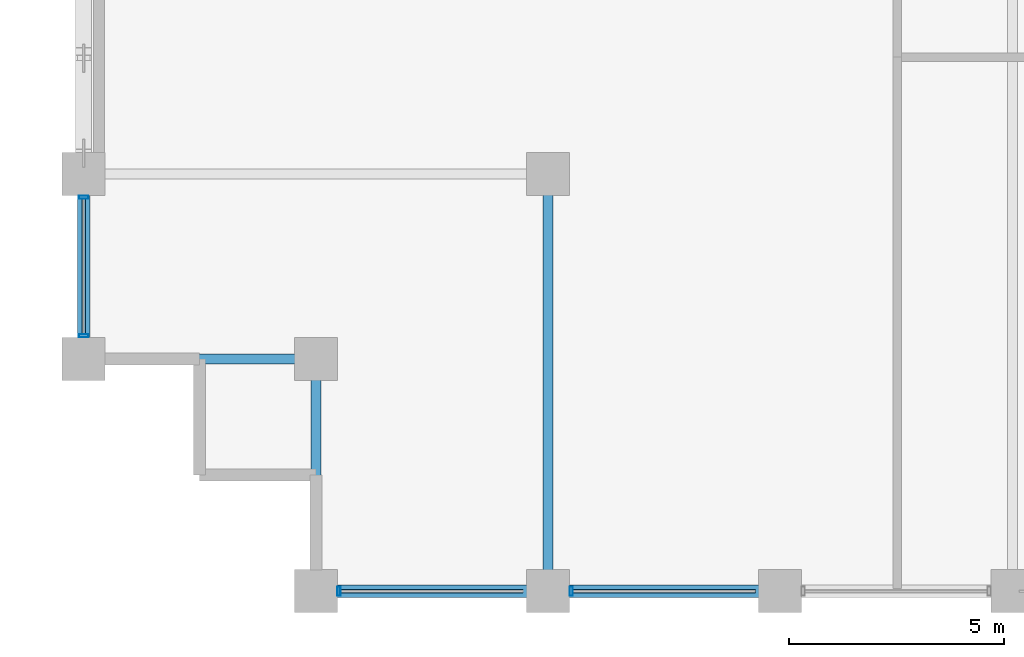
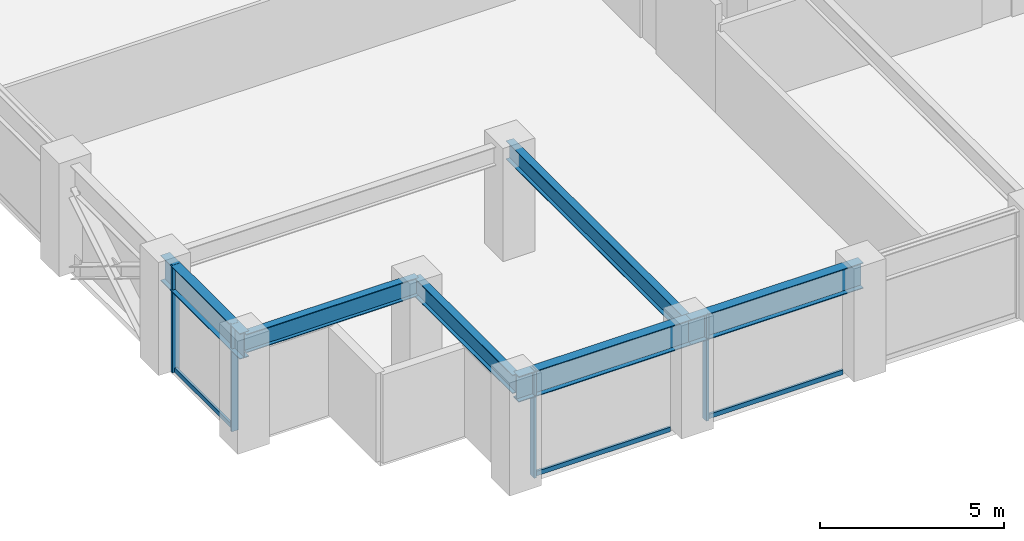
# One storey, part 2 of 26: 7 members, 6 beams, 2 elements without a shape of their own.
"""IFC4 building model written with IfcOpenShell, lengths in metres."""

import ifcopenshell
import ifcopenshell.guid

model = None  # the IFC model being written
_history = None  # IfcOwnerHistory: only IFC2X3 demands one
_inside = {}  # id of a spatial element -> (the spatial element, [elements in it])
_under = {}  # id of a project, library or spatial element -> (it, [spatial elements below it])
_declared = {}  # id of a project -> (the project, [libraries it declares])
_typed = {}  # id of a type object -> (the type object, [elements of that type])
_made_of = {}  # id of a material, layer set ... -> (it, [elements and type objects made of it])


def new_model(schema):
    """Start an empty IFC model of exactly this schema.

    Asked for "IFC4X3", IfcOpenShell would pick the latest addendum, in which some entities
    have other attributes; the version numbers below select the first issue.
    IFC2X3 requires an IfcOwnerHistory on every rooted entity: one is made here for all.
    """
    global model, _history
    if schema == "IFC4X3":
        model = ifcopenshell.file(schema_version=(4, 3, 0, 0))
    else:
        model = ifcopenshell.file(schema=schema)
    _inside.clear()
    _under.clear()
    _declared.clear()
    _typed.clear()
    _made_of.clear()
    _history = None
    if model.schema == "IFC2X3":
        org = make("IfcOrganization", Name="unknown")
        user = make(
            "IfcPersonAndOrganization",
            ThePerson=make("IfcPerson", FamilyName="unknown"),
            TheOrganization=org,
        )
        app = make(
            "IfcApplication",
            ApplicationDeveloper=org,
            Version="unknown",
            ApplicationFullName="unknown",
            ApplicationIdentifier="unknown",
        )
        _history = make(
            "IfcOwnerHistory",
            OwningUser=user,
            OwningApplication=app,
            ChangeAction="ADDED",
            CreationDate=0,
        )
    return model


def make(cls, **values):
    """One entity of the class cls with the attributes given. An attribute that is None is left unset."""
    return model.create_entity(
        cls, **{name: value for name, value in values.items() if value is not None}
    )


def rooted(cls, **values):
    """An entity with a GlobalId (a new one), such as an element, a storey or a relation."""
    return make(cls, GlobalId=ifcopenshell.guid.new(), OwnerHistory=_history, **values)


def si_unit(unit_type, name, prefix=None):
    """IfcSIUnit, for example si_unit("LENGTHUNIT", "METRE", prefix="MILLI")."""
    return make("IfcSIUnit", UnitType=unit_type, Prefix=prefix, Name=name)


def assignment(units):
    """IfcUnitAssignment: the units of a project."""
    return None if units is None else make("IfcUnitAssignment", Units=units)


def point(xyz):
    """IfcCartesianPoint."""
    return None if xyz is None else make("IfcCartesianPoint", Coordinates=xyz)


def direction(xyz):
    """IfcDirection."""
    return None if xyz is None else make("IfcDirection", DirectionRatios=xyz)


def frame(location, z_axis=None, x_axis=None):
    """IfcAxis2Placement3D, a coordinate frame: its origin and axes. An axis left out is left unset."""
    return make(
        "IfcAxis2Placement3D",
        Location=point(location),
        Axis=direction(z_axis),
        RefDirection=direction(x_axis),
    )


def frame_2d(location, x_axis=None):
    """IfcAxis2Placement2D, a coordinate frame in the plane: its origin and x axis."""
    return make(
        "IfcAxis2Placement2D", Location=point(location), RefDirection=direction(x_axis)
    )


def origin():
    """The frame at (0, 0, 0) with its axes left unset."""
    return frame((0.0, 0.0, 0.0))


def origin_2d():
    """The frame at (0, 0) in the plane with its x axis left unset."""
    return frame_2d((0.0, 0.0))


def place(relative_to, where):
    """IfcLocalPlacement: puts the frame where relative to a parent placement (None: the world)."""
    return make(
        "IfcLocalPlacement", PlacementRelTo=relative_to, RelativePlacement=where
    )


def context(
    kind, dimensions, precision=None, world=None, true_north=None, identifier=None
):
    """IfcGeometricRepresentationContext, for example the 3D "Model" context."""
    return make(
        "IfcGeometricRepresentationContext",
        ContextIdentifier=identifier,
        ContextType=kind,
        CoordinateSpaceDimension=dimensions,
        Precision=precision,
        WorldCoordinateSystem=world,
        TrueNorth=true_north,
    )


def subcontext(parent, identifier, kind, view, scale=None):
    """IfcGeometricRepresentationSubContext, for example "Body" below "Model"."""
    return make(
        "IfcGeometricRepresentationSubContext",
        ContextIdentifier=identifier,
        ContextType=kind,
        ParentContext=parent,
        TargetScale=scale,
        TargetView=view,
    )


def project(units=None, contexts=None):
    """IfcProject with its units and contexts."""
    return rooted(
        "IfcProject",
        Name="project",
        RepresentationContexts=contexts,
        UnitsInContext=assignment(units),
    )


def spatial(cls, under=None, at=None, **own):
    """A site, building, storey or space (cls), placed at a placement, below another one or the project."""
    s = rooted(cls, ObjectPlacement=at, **own)
    if under is not None:
        _under.setdefault(under.id(), (under, []))[1].append(s)
    return s


def profile(cls, at=None, kind="AREA", **sizes):
    """A parametric profile (cls). Its sizes go by their IFC names, for example OverallWidth=200.0."""
    return make(cls, ProfileType=kind, Position=at, **sizes)


def hollow_rectangle(**sizes):
    """IfcRectangleHollowProfileDef."""
    return profile("IfcRectangleHollowProfileDef", **sizes)


def i_section(**sizes):
    """IfcIShapeProfileDef."""
    return profile("IfcIShapeProfileDef", **sizes)


def extrude(swept, where, along, depth):
    """IfcExtrudedAreaSolid: the profile swept, set in the frame where, extruded along a direction by depth."""
    return make(
        "IfcExtrudedAreaSolid",
        SweptArea=swept,
        Position=where,
        ExtrudedDirection=direction(along),
        Depth=depth,
    )


def shape(context_of_items, identifier, shape_type, items):
    """IfcShapeRepresentation: the items that make up one representation, for example the "Body"."""
    return make(
        "IfcShapeRepresentation",
        ContextOfItems=context_of_items,
        RepresentationIdentifier=identifier,
        RepresentationType=shape_type,
        Items=items,
    )


def material(Name=None, Category=None):
    """IfcMaterial."""
    return make("IfcMaterial", Name=Name, Category=Category)


def layer(
    of_material, thickness, ventilated=None, Name=None, Category=None, Priority=None
):
    """IfcMaterialLayer: one layer of a wall or slab, of a material (None: an air gap)."""
    return make(
        "IfcMaterialLayer",
        Material=of_material,
        LayerThickness=thickness,
        IsVentilated=ventilated,
        Name=Name,
        Category=Category,
        Priority=Priority,
    )


def layer_set(layers, Name=None):
    """IfcMaterialLayerSet."""
    return make("IfcMaterialLayerSet", MaterialLayers=layers, LayerSetName=Name)


def material_profile(
    of_material, cross_section, Name=None, Category=None, Priority=None
):
    """IfcMaterialProfile: a cross section and its material."""
    return make(
        "IfcMaterialProfile",
        Name=Name,
        Material=of_material,
        Profile=cross_section,
        Priority=Priority,
        Category=Category,
    )


def profile_set(profiles, Name=None, composite=None):
    """IfcMaterialProfileSet."""
    return make(
        "IfcMaterialProfileSet",
        Name=Name,
        MaterialProfiles=profiles,
        CompositeProfile=composite,
    )


def made_of(thing, what):
    """Note that an element or type object is made of a material, layer set ...; save() writes the relation."""
    if what is not None:
        _made_of.setdefault(what.id(), (what, []))[1].append(thing)
    return thing


def type_object(cls, material=None, **own):
    """A type object (cls), such as IfcWallType, which elements share."""
    return made_of(rooted(cls, **own), material)


def element(
    cls,
    number,
    at=None,
    inside=None,
    cuts=None,
    type_object=None,
    material=None,
    context=None,
    identifier="Body",
    shape_type=None,
    held_by="IfcProductDefinitionShape",
    body=None,
    shapes=None,
    **own,
):
    """One element of the class cls, such as IfcWall. Its Tag is "e" and its number.

    at: its placement. inside: the storey or other place that contains it. cuts: it is an
    opening in that element (IfcRelVoidsElement). A single representation is given by context,
    identifier, shape_type and body (its items); several are given by shapes. held_by: the class
    of the entity that holds the representations. save() writes the other relations.
    """
    e = rooted(cls, Tag="e%d" % number, ObjectPlacement=at, **own)
    if body is not None:
        shapes = [shape(context, identifier, shape_type, body)]
    if shapes is not None:
        e.Representation = make(held_by, Representations=shapes)
    if inside is not None:
        _inside.setdefault(inside.id(), (inside, []))[1].append(e)
    if cuts is not None:
        rooted(
            "IfcRelVoidsElement", RelatingBuildingElement=cuts, RelatedOpeningElement=e
        )
    if type_object is not None:
        _typed.setdefault(type_object.id(), (type_object, []))[1].append(e)
    return made_of(e, material)


def aggregate(whole, parts):
    """IfcRelAggregates: a whole, such as a stair, and the parts it consists of."""
    return rooted("IfcRelAggregates", RelatingObject=whole, RelatedObjects=parts)


def save(model, path):
    """Write the relations noted so far, then the file.

    IfcRelAggregates (storeys below a building ...), IfcRelContainedInSpatialStructure (elements
    in a storey), IfcRelDefinesByType, IfcRelAssociatesMaterial and IfcRelDeclares: one each for
    every whole, place, type object, material and project.
    """
    for whole, parts in _under.values():
        aggregate(whole, parts)
    for where, things in _inside.values():
        rooted(
            "IfcRelContainedInSpatialStructure",
            RelatedElements=things,
            RelatingStructure=where,
        )
    for kind, things in _typed.values():
        rooted("IfcRelDefinesByType", RelatedObjects=things, RelatingType=kind)
    for what, things in _made_of.values():
        rooted("IfcRelAssociatesMaterial", RelatedObjects=things, RelatingMaterial=what)
    for by, libraries in _declared.values():
        rooted("IfcRelDeclares", RelatingContext=by, RelatedDefinitions=libraries)
    model.write(path)


model = new_model("IFC4")

# Units and contexts
model_context = context("Model", 3, precision=1e-05, world=origin(), true_north=direction((0.0, 1.0)))
body_context = subcontext(model_context, "Body", "Model", "MODEL_VIEW")
ifc_project = project(units=[si_unit("LENGTHUNIT", "METRE"), si_unit("AREAUNIT", "SQUARE_METRE"), si_unit("VOLUMEUNIT", "CUBIC_METRE"), si_unit("PLANEANGLEUNIT", "RADIAN"), si_unit("MASSUNIT", "GRAM", prefix="KILO")], contexts=[model_context])

# Site, building, storey
site_placement = place(None, origin())
site = spatial("IfcSite", under=ifc_project, at=site_placement, CompositionType="ELEMENT")
building_placement = place(site_placement, origin())
building = spatial("IfcBuilding", under=site, at=building_placement, Name="Surkhivell Harbour Commons", CompositionType="ELEMENT")
storey_placement = place(building_placement, frame((0.0, 0.0, 143.25)))
storey = spatial("IfcBuildingStorey", under=building, at=storey_placement, Name="L37", CompositionType="ELEMENT", Elevation=143.25)

# Beams
ifc_material_1 = material(Name="Steel S355", Category="steel")
ifc_material_profile_1 = material_profile(ifc_material_1, i_section(OverallWidth=0.22998046875, OverallDepth=0.616943359375, WebThickness=0.01318359375, FlangeThickness=0.022216796875, at=origin_2d()), Name="UB610x229x140")
ifc_profile_set_1 = profile_set([ifc_material_profile_1], Name="Steel S355")
beam_type_1 = type_object("IfcBeamType", Name="BM-GRD-610B", PredefinedType="BEAM", material=ifc_profile_set_1)
for number, where, z_axis, x_axis, name in (
    (1, (-32.39990234375, -20.5, 3.261474609375), (1.0, 0.0, 0.0), (0.0, 1.0, 0.0), "L37 Floor Girder (-32.4,-20.5)"),
    (2, (-27.0, -25.89990234375, 3.261474609375), (0.0, 1.0, 0.0), (-1.0, 0.0, 0.0), "L37 Floor Girder (-27.0,-25.9)"),
):
    element("IfcBeam", number, at=place(storey_placement, frame(where, z_axis=z_axis, x_axis=x_axis)), inside=storey, type_object=beam_type_1, Name=name, PredefinedType="BEAM", context=body_context, shape_type="SweptSolid", body=[
        extrude(i_section(OverallWidth=0.22998046875, OverallDepth=0.616943359375, WebThickness=0.01318359375, FlangeThickness=0.022216796875, at=origin_2d()), origin(), (0.0, 0.0, 1.0), 5.39990234375),
    ])
beam_1_placement = place(storey_placement, frame((-21.60009765625, -25.89990234375, 3.261474609375), z_axis=(0.0, 1.0, 0.0), x_axis=(-1.0, 0.0, 0.0)))
element("IfcBeam", 3, at=beam_1_placement, inside=storey, type_object=beam_type_1, Name="L37 Floor Girder (-21.6,-25.9)", PredefinedType="BEAM", context=body_context, shape_type="SweptSolid", body=[
    extrude(i_section(OverallWidth=0.22998046875, OverallDepth=0.616943359375, WebThickness=0.01318359375, FlangeThickness=0.022216796875, at=origin_2d()), origin(), (0.0, 0.0, 1.0), 9.699951171875),
])
ifc_material_2 = material(Name="Steel S460", Category="steel")
ifc_material_profile_2 = material_profile(ifc_material_2, i_section(OverallWidth=0.2939453125, OverallDepth=0.85107421875, WebThickness=0.01611328125, FlangeThickness=0.02685546875, at=origin_2d()), Name="UB838x292x226")
ifc_profile_set_2 = profile_set([ifc_material_profile_2], Name="Steel S460")
beam_type_2 = type_object("IfcBeamType", Name="BM-SPN-838", PredefinedType="SPANDREL", material=ifc_profile_set_2)
beam_2_placement = place(storey_placement, frame((-32.39990234375, -20.5, 3.14453125), z_axis=(0.0, 1.0, 0.0), x_axis=(-1.0, 0.0, 0.0)))
element("IfcBeam", 4, at=beam_2_placement, inside=storey, type_object=beam_type_2, Name="L37 Tube Spandrel (-32.4,-20.5)", PredefinedType="SPANDREL", context=body_context, shape_type="SweptSolid", body=[
    extrude(i_section(OverallWidth=0.2939453125, OverallDepth=0.85107421875, WebThickness=0.01611328125, FlangeThickness=0.02685546875, at=origin_2d()), origin(), (0.0, 0.0, 1.0), 4.300048828125),
])
beam_3_placement = place(storey_placement, frame((-27.0, -25.89990234375, 3.14453125), z_axis=(1.0, 0.0, 0.0), x_axis=(0.0, 1.0, 0.0)))
element("IfcBeam", 5, at=beam_3_placement, inside=storey, type_object=beam_type_2, Name="L37 Tube Spandrel (-27.0,-25.9)", PredefinedType="SPANDREL", context=body_context, shape_type="SweptSolid", body=[
    extrude(i_section(OverallWidth=0.2939453125, OverallDepth=0.85107421875, WebThickness=0.01611328125, FlangeThickness=0.02685546875, at=origin_2d()), origin(), (0.0, 0.0, 1.0), 5.39990234375),
])
beam_4_placement = place(storey_placement, frame((-21.60009765625, -25.89990234375, 3.14453125), z_axis=(1.0, 0.0, 0.0), x_axis=(0.0, 1.0, 0.0)))
element("IfcBeam", 6, at=beam_4_placement, inside=storey, type_object=beam_type_2, Name="L37 Tube Spandrel (-21.6,-25.9)", PredefinedType="SPANDREL", context=body_context, shape_type="SweptSolid", body=[
    extrude(i_section(OverallWidth=0.2939453125, OverallDepth=0.85107421875, WebThickness=0.01611328125, FlangeThickness=0.02685546875, at=origin_2d()), origin(), (0.0, 0.0, 1.0), 5.400146484375),
])

# Curtain wall, members
ifc_material_3 = material(Name="Anodised pale-metal aluminium and insulated glazing", Category="aluminium")
ifc_layer = layer(ifc_material_3, 0.205078125)
ifc_layer_set = layer_set([ifc_layer], Name="Anodised pale-metal aluminium and insulated glazing")
curtain_wall_type = type_object("IfcCurtainWallType", Name="CW-SYS-Z2", PredefinedType="NOTDEFINED", material=ifc_layer_set)
curtain_wall_1_placement = place(storey_placement, origin())
curtain_wall_1 = element("IfcCurtainWall", 7, at=curtain_wall_1_placement, inside=storey, type_object=curtain_wall_type, Name="L37 Curtain Wall CW-L37-E00S1", PredefinedType="NOTDEFINED")
ifc_material_4 = material(Name="Anodised pale-metal aluminium alloy 6063-T6", Category="aluminium")
ifc_material_profile_3 = material_profile(ifc_material_4, hollow_rectangle(XDim=0.074951171875, YDim=0.219970703125, WallThickness=0.00390625, at=origin_2d()), Name="ALU-MULL-75x220")
ifc_profile_set_3 = profile_set([ifc_material_profile_3], Name="Anodised pale-metal aluminium alloy 6063-T6")
member_type_1 = type_object("IfcMemberType", Name="CWM-220", PredefinedType="MULLION", material=ifc_profile_set_3)
member_1_placement = place(storey_placement, frame((-26.46044921875, -25.89990234375, 0.0), z_axis=(0.0, 0.0, 1.0), x_axis=(1.0, 0.0, 0.0)))
member_1 = element("IfcMember", 8, at=member_1_placement, type_object=member_type_1, Name="CW-Z2 mullion 1", PredefinedType="MULLION", context=body_context, shape_type="SweptSolid", body=[
    extrude(hollow_rectangle(XDim=0.074951171875, YDim=0.219970703125, WallThickness=0.00390625, at=origin_2d()), origin(), (0.0, 0.0, 1.0), 3.570068359375),
])
member_2_placement = place(storey_placement, frame((-21.060546875, -25.89990234375, 0.0), z_axis=(0.0, 0.0, 1.0), x_axis=(1.0, 0.0, 0.0)))
member_2 = element("IfcMember", 9, at=member_2_placement, type_object=member_type_1, Name="CW-Z2 mullion 2", PredefinedType="MULLION", context=body_context, shape_type="SweptSolid", body=[
    extrude(hollow_rectangle(XDim=0.074951171875, YDim=0.219970703125, WallThickness=0.00390625, at=origin_2d()), origin(), (0.0, 0.0, 1.0), 3.570068359375),
])

curtain_wall_2_placement = place(storey_placement, origin())
curtain_wall_2 = element("IfcCurtainWall", 10, at=curtain_wall_2_placement, inside=storey, type_object=curtain_wall_type, Name="L37 Curtain Wall CW-L37-E12R1S1", PredefinedType="NOTDEFINED")
member_3_placement = place(storey_placement, frame((-32.39990234375, -19.96044921875, 0.0), z_axis=(0.0, 0.0, 1.0), x_axis=(0.0, 1.0, 0.0)))
member_3 = element("IfcMember", 11, at=member_3_placement, type_object=member_type_1, Name="CW-Z2 mullion 1", PredefinedType="MULLION", context=body_context, shape_type="SweptSolid", body=[
    extrude(hollow_rectangle(XDim=0.074951171875, YDim=0.219970703125, WallThickness=0.00390625, at=origin_2d()), origin(), (0.0, 0.0, 1.0), 3.570068359375),
])
member_4_placement = place(storey_placement, frame((-32.39990234375, -16.739501953125, 0.0), z_axis=(0.0, 0.0, 1.0), x_axis=(0.0, 1.0, 0.0)))
member_4 = element("IfcMember", 12, at=member_4_placement, type_object=member_type_1, Name="CW-Z2 mullion 2", PredefinedType="MULLION", context=body_context, shape_type="SweptSolid", body=[
    extrude(hollow_rectangle(XDim=0.074951171875, YDim=0.219970703125, WallThickness=0.00390625, at=origin_2d()), origin(), (0.0, 0.0, 1.0), 3.570068359375),
])

# Member
ifc_material_profile_4 = material_profile(ifc_material_4, hollow_rectangle(XDim=0.074951171875, YDim=0.14990234375, WallThickness=0.00341796875, at=origin_2d()), Name="ALU-TRAN-75x150")
ifc_profile_set_4 = profile_set([ifc_material_profile_4], Name="Anodised pale-metal aluminium alloy 6063-T6")
member_type_2 = type_object("IfcMemberType", Name="CWT-150", PredefinedType="USERDEFINED", material=ifc_profile_set_4)
member_5_placement = place(storey_placement, frame((-26.423095703125, -25.89990234375, 0.074951171875), z_axis=(1.0, 0.0, 0.0), x_axis=(0.0, 1.0, 0.0)))
member_5 = element("IfcMember", 13, at=member_5_placement, type_object=member_type_2, Name="CW-Z2 transom 1.1", ObjectType="TRANSOM", PredefinedType="USERDEFINED", context=body_context, shape_type="SweptSolid", body=[
    extrude(hollow_rectangle(XDim=0.074951171875, YDim=0.14990234375, WallThickness=0.00341796875, at=origin_2d()), origin(), (0.0, 0.0, 1.0), 4.24609375),
])

member_6_placement = place(storey_placement, frame((-21.02294921875, -25.89990234375, 0.074951171875), z_axis=(1.0, 0.0, 0.0), x_axis=(0.0, 1.0, 0.0)))
member_6 = element("IfcMember", 14, at=member_6_placement, type_object=member_type_2, Name="CW-Z2 transom 2.1", ObjectType="TRANSOM", PredefinedType="USERDEFINED", context=body_context, shape_type="SweptSolid", body=[
    extrude(hollow_rectangle(XDim=0.074951171875, YDim=0.14990234375, WallThickness=0.00341796875, at=origin_2d()), origin(), (0.0, 0.0, 1.0), 4.245849609375),
])

aggregate(curtain_wall_1, [member_1, member_5, member_2, member_6])

member_7_placement = place(storey_placement, frame((-32.39990234375, -19.923095703125, 0.074951171875), z_axis=(0.0, 1.0, 0.0), x_axis=(-1.0, 0.0, 0.0)))
member_7 = element("IfcMember", 15, at=member_7_placement, type_object=member_type_2, Name="CW-Z2 transom 1.1", ObjectType="TRANSOM", PredefinedType="USERDEFINED", context=body_context, shape_type="SweptSolid", body=[
    extrude(hollow_rectangle(XDim=0.074951171875, YDim=0.14990234375, WallThickness=0.00341796875, at=origin_2d()), origin(), (0.0, 0.0, 1.0), 3.14599609375),
])

aggregate(curtain_wall_2, [member_3, member_4, member_7])

save(model, "model.ifc")
